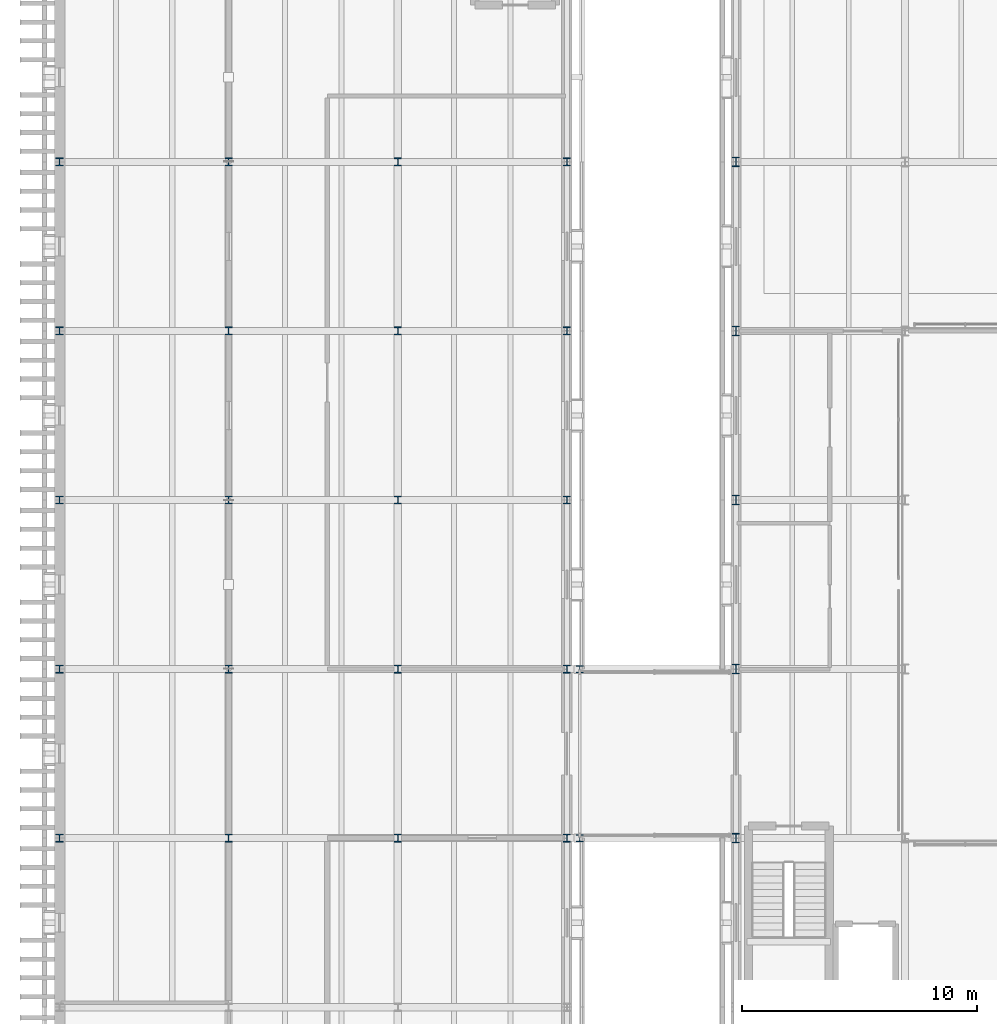
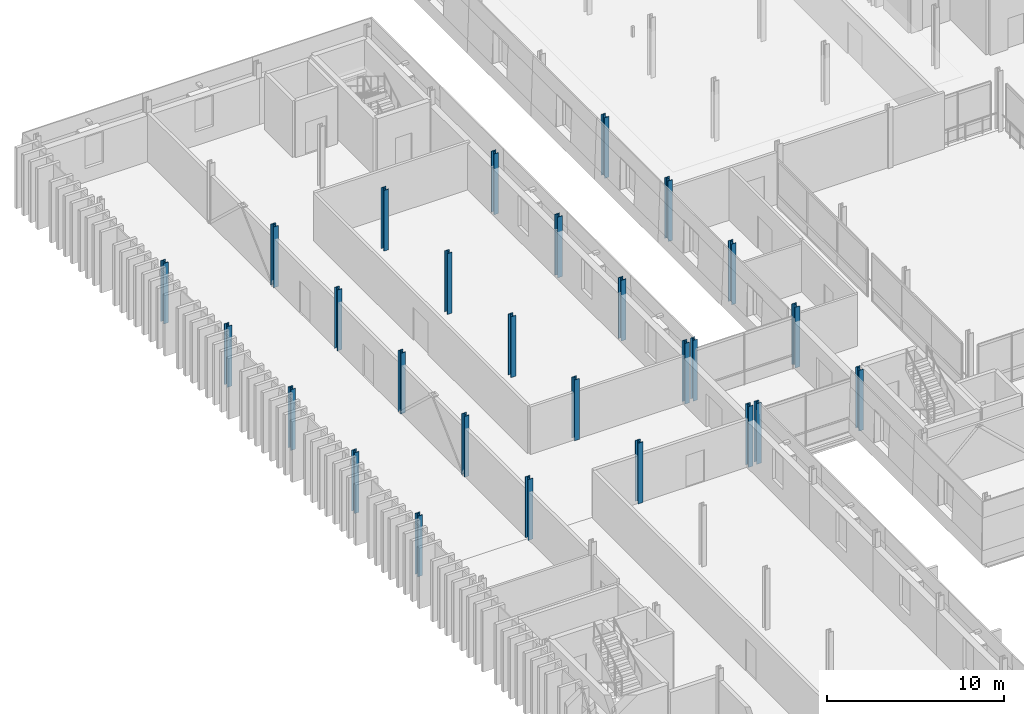
# One storey, part 6 of 115: 27 columns.
"""IFC4 building model written with IfcOpenShell, lengths in metres."""

from ifc_helpers import new_model, si_unit, direction, frame, origin, origin_2d, place, context, subcontext, project, spatial, i_section, extrude, material, material_profile, profile_set, type_object, element, save


model = new_model("IFC4")

# Units and contexts
model_context = context("Model", 3, precision=1e-05, world=origin(), true_north=direction((0.0, 1.0)))
body_context = subcontext(model_context, "Body", "Model", "MODEL_VIEW")
ifc_project = project(units=[si_unit("LENGTHUNIT", "METRE"), si_unit("AREAUNIT", "SQUARE_METRE"), si_unit("VOLUMEUNIT", "CUBIC_METRE"), si_unit("PLANEANGLEUNIT", "RADIAN"), si_unit("MASSUNIT", "GRAM", prefix="KILO")], contexts=[model_context])

# Site, building, storey
site_placement = place(None, origin())
site = spatial("IfcSite", under=ifc_project, at=site_placement, CompositionType="ELEMENT")
building_placement = place(site_placement, origin())
building = spatial("IfcBuilding", under=site, at=building_placement, Name="Narikvali Park Central Library", CompositionType="ELEMENT")
storey_placement = place(building_placement, frame((0.0, 0.0, 10.199951171875)))
storey = spatial("IfcBuildingStorey", under=building, at=storey_placement, Name="L02", CompositionType="ELEMENT", Elevation=10.199951171875)

# Columns
ifc_material = material(Name="Steel S355", Category="steel")
ifc_material_profile_1 = material_profile(ifc_material, i_section(OverallWidth=0.300048828125, OverallDepth=0.300048828125, WebThickness=0.010986328125, FlangeThickness=0.01904296875, FilletRadius=0.027099609375, at=origin_2d()), Name="HEB 300")
ifc_profile_set_1 = profile_set([ifc_material_profile_1], Name="Steel S355")
column_type_1 = type_object("IfcColumnType", Name="Steel Column HEB300", PredefinedType="COLUMN", material=ifc_profile_set_1)
for number, where, z_axis, x_axis, name in (
    (1, (22.14990234375, 64.800048828125, 0.0), (0.0, 0.0, 1.0), (1.0, 0.0, 0.0), "BRG-1 Bridge Pier L02"),
    (2, (22.14990234375, 72.0, 0.0), (0.0, 0.0, 1.0), (1.0, 0.0, 0.0), "BRG-1 Bridge Pier L02"),
):
    element("IfcColumn", number, at=place(storey_placement, frame(where, z_axis=z_axis, x_axis=x_axis)), inside=storey, type_object=column_type_1, Name=name, PredefinedType="COLUMN", context=body_context, shape_type="SweptSolid", body=[
        extrude(i_section(OverallWidth=0.300048828125, OverallDepth=0.300048828125, WebThickness=0.010986328125, FlangeThickness=0.01904296875, FilletRadius=0.027099609375, at=origin_2d()), origin(), (0.0, 0.0, 1.0), 4.199951171875),
    ])
ifc_material_profile_2 = material_profile(ifc_material, i_section(OverallWidth=0.300048828125, OverallDepth=0.39990234375, WebThickness=0.013427734375, FlangeThickness=0.02392578125, FilletRadius=0.027099609375, at=origin_2d()), Name="HEB 400")
ifc_profile_set_2 = profile_set([ifc_material_profile_2], Name="Steel S355")
column_type_2 = type_object("IfcColumnType", Name="Steel Column HEB400", PredefinedType="COLUMN", material=ifc_profile_set_2)
for number, where, z_axis, x_axis, name in (
    (3, (28.800048828125, 64.800048828125, 0.0), (0.0, 0.0, 1.0), (1.0, 0.0, 0.0), "V4 L02 Column (28.8,64.8)"),
    (4, (28.800048828125, 72.0, 0.0), (0.0, 0.0, 1.0), (1.0, 0.0, 0.0), "V4 L02 Column (28.8,72.0)"),
    (5, (28.800048828125, 79.199951171875, 0.0), (0.0, 0.0, 1.0), (1.0, 0.0, 0.0), "V4 L02 Column (28.8,79.2)"),
    (6, (28.800048828125, 86.39990234375, 0.0), (0.0, 0.0, 1.0), (1.0, 0.0, 0.0), "V4 L02 Column (28.8,86.4)"),
    (7, (28.800048828125, 93.60009765625, 0.0), (0.0, 0.0, 1.0), (1.0, 0.0, 0.0), "V4 L02 Column (28.8,93.6)"),
):
    element("IfcColumn", number, at=place(storey_placement, frame(where, z_axis=z_axis, x_axis=x_axis)), inside=storey, type_object=column_type_2, Name=name, PredefinedType="COLUMN", context=body_context, shape_type="SweptSolid", body=[
        extrude(i_section(OverallWidth=0.300048828125, OverallDepth=0.39990234375, WebThickness=0.013427734375, FlangeThickness=0.02392578125, FilletRadius=0.027099609375, at=origin_2d()), origin(), (0.0, 0.0, 1.0), 4.199951171875),
    ])
ifc_material_profile_3 = material_profile(ifc_material, i_section(OverallWidth=0.31005859375, OverallDepth=0.340087890625, WebThickness=0.02099609375, FlangeThickness=0.034912109375, FilletRadius=0.027099609375, at=origin_2d()), Name="HEM 300")
ifc_profile_set_3 = profile_set([ifc_material_profile_3], Name="Steel S355")
column_type_3 = type_object("IfcColumnType", Name="Steel Column HEM300", PredefinedType="COLUMN", material=ifc_profile_set_3)
for number, where, z_axis, x_axis, name in (
    (8, (0.0, 64.800048828125, 0.0), (0.0, 0.0, 1.0), (1.0, 0.0, 0.0), "V5 L02 Column (0.0,64.8)"),
    (9, (0.0, 72.0, 0.0), (0.0, 0.0, 1.0), (1.0, 0.0, 0.0), "V5 L02 Column (0.0,72.0)"),
    (10, (0.0, 79.199951171875, 0.0), (0.0, 0.0, 1.0), (1.0, 0.0, 0.0), "V5 L02 Column (0.0,79.2)"),
    (11, (0.0, 86.39990234375, 0.0), (0.0, 0.0, 1.0), (1.0, 0.0, 0.0), "V5 L02 Column (0.0,86.4)"),
    (12, (0.0, 93.60009765625, 0.0), (0.0, 0.0, 1.0), (1.0, 0.0, 0.0), "V5 L02 Column (0.0,93.6)"),
    (13, (7.199951171875, 64.800048828125, 0.0), (0.0, 0.0, 1.0), (1.0, 0.0, 0.0), "V5 L02 Column (7.2,64.8)"),
    (14, (7.199951171875, 72.0, 0.0), (0.0, 0.0, 1.0), (1.0, 0.0, 0.0), "V5 L02 Column (7.2,72.0)"),
    (15, (7.199951171875, 79.199951171875, 0.0), (0.0, 0.0, 1.0), (1.0, 0.0, 0.0), "V5 L02 Column (7.2,79.2)"),
    (16, (7.199951171875, 86.39990234375, 0.0), (0.0, 0.0, 1.0), (1.0, 0.0, 0.0), "V5 L02 Column (7.2,86.4)"),
    (17, (7.199951171875, 93.60009765625, 0.0), (0.0, 0.0, 1.0), (1.0, 0.0, 0.0), "V5 L02 Column (7.2,93.6)"),
    (18, (14.39990234375, 64.800048828125, 0.0), (0.0, 0.0, 1.0), (1.0, 0.0, 0.0), "V5 L02 Column (14.4,64.8)"),
    (19, (14.39990234375, 72.0, 0.0), (0.0, 0.0, 1.0), (1.0, 0.0, 0.0), "V5 L02 Column (14.4,72.0)"),
    (20, (14.39990234375, 79.199951171875, 0.0), (0.0, 0.0, 1.0), (1.0, 0.0, 0.0), "V5 L02 Column (14.4,79.2)"),
    (21, (14.39990234375, 86.39990234375, 0.0), (0.0, 0.0, 1.0), (1.0, 0.0, 0.0), "V5 L02 Column (14.4,86.4)"),
    (22, (14.39990234375, 93.60009765625, 0.0), (0.0, 0.0, 1.0), (1.0, 0.0, 0.0), "V5 L02 Column (14.4,93.6)"),
    (23, (21.60009765625, 64.800048828125, 0.0), (0.0, 0.0, 1.0), (1.0, 0.0, 0.0), "V5 L02 Column (21.6,64.8)"),
    (24, (21.60009765625, 72.0, 0.0), (0.0, 0.0, 1.0), (1.0, 0.0, 0.0), "V5 L02 Column (21.6,72.0)"),
    (25, (21.60009765625, 79.199951171875, 0.0), (0.0, 0.0, 1.0), (1.0, 0.0, 0.0), "V5 L02 Column (21.6,79.2)"),
    (26, (21.60009765625, 86.39990234375, 0.0), (0.0, 0.0, 1.0), (1.0, 0.0, 0.0), "V5 L02 Column (21.6,86.4)"),
    (27, (21.60009765625, 93.60009765625, 0.0), (0.0, 0.0, 1.0), (1.0, 0.0, 0.0), "V5 L02 Column (21.6,93.6)"),
):
    element("IfcColumn", number, at=place(storey_placement, frame(where, z_axis=z_axis, x_axis=x_axis)), inside=storey, type_object=column_type_3, Name=name, PredefinedType="COLUMN", context=body_context, shape_type="SweptSolid", body=[
        extrude(i_section(OverallWidth=0.31005859375, OverallDepth=0.340087890625, WebThickness=0.02099609375, FlangeThickness=0.034912109375, FilletRadius=0.027099609375, at=origin_2d()), origin(), (0.0, 0.0, 1.0), 4.199951171875),
    ])

save(model, "model.ifc")
